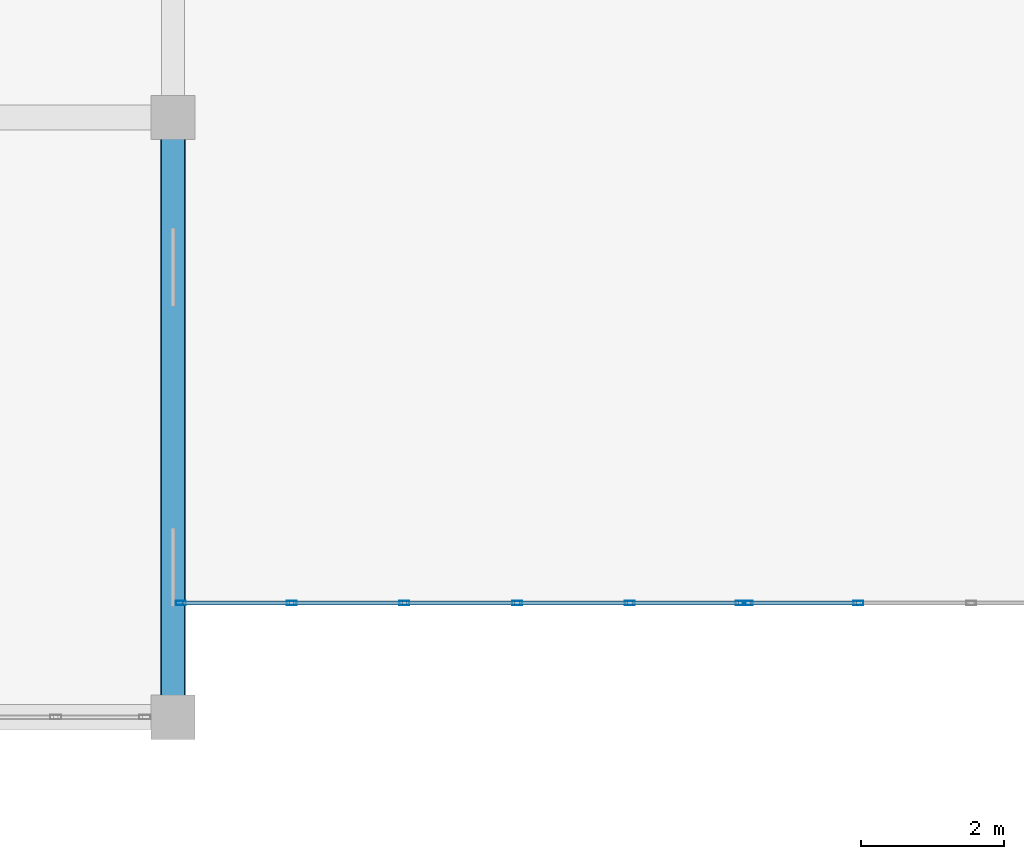
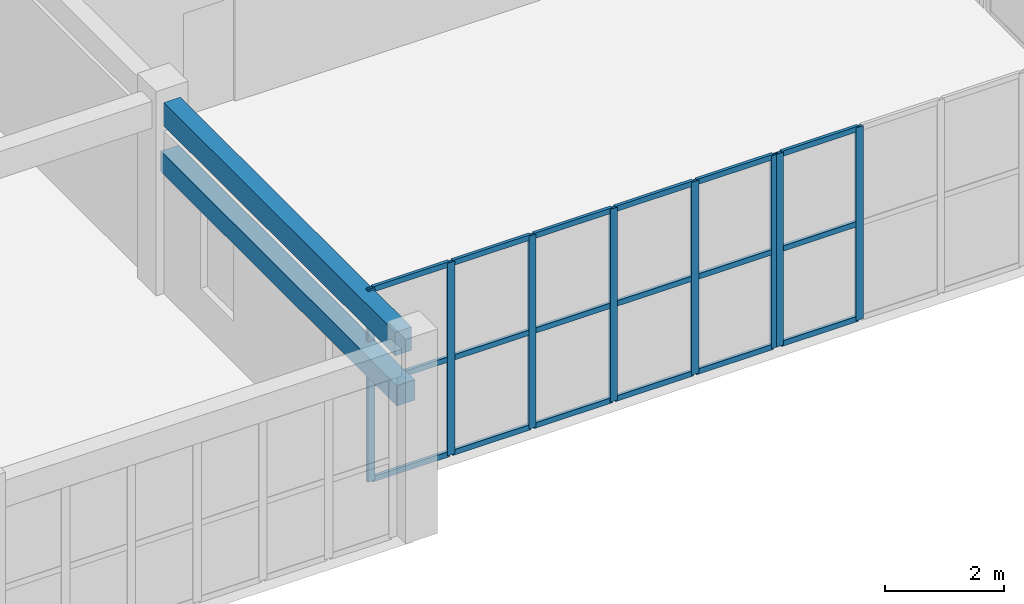
# One storey, part 26 of 81: 26 members, 2 beams, 2 elements without a shape of their own.
"""IFC4 building model written with IfcOpenShell, lengths in metres."""

from ifc_helpers import new_model, si_unit, direction, frame, origin, origin_2d, place, context, subcontext, project, spatial, rectangle, hollow_rectangle, extrude, material, layer, layer_set, material_profile, profile_set, type_object, element, aggregate, save


model = new_model("IFC4")

# Units and contexts
model_context = context("Model", 3, precision=1e-05, world=origin(), true_north=direction((0.0, 1.0)))
body_context = subcontext(model_context, "Body", "Model", "MODEL_VIEW")
ifc_project = project(units=[si_unit("LENGTHUNIT", "METRE"), si_unit("AREAUNIT", "SQUARE_METRE"), si_unit("VOLUMEUNIT", "CUBIC_METRE"), si_unit("PLANEANGLEUNIT", "RADIAN"), si_unit("MASSUNIT", "GRAM", prefix="KILO")], contexts=[model_context])

# Site, building, storey
site_placement = place(None, origin())
site = spatial("IfcSite", under=ifc_project, at=site_placement, CompositionType="ELEMENT")
building_placement = place(site_placement, origin())
building = spatial("IfcBuilding", under=site, at=building_placement, Name="Trelvath General Hospital", CompositionType="ELEMENT")
storey_placement = place(building_placement, frame((0.0, 0.0, 24.60009765625)))
storey = spatial("IfcBuildingStorey", under=building, at=storey_placement, Name="L06", CompositionType="ELEMENT", Elevation=24.60009765625)

# Beam
ifc_material_1 = material(Name="Concrete C35/45", Category="concrete")
ifc_material_profile_1 = material_profile(ifc_material_1, rectangle(XDim=0.320068359375, YDim=0.47998046875, at=origin_2d()), Name="RCB320x480")
ifc_profile_set_1 = profile_set([ifc_material_profile_1], Name="Concrete C35/45")
beam_type_1 = type_object("IfcBeamType", Name="Beam RC320x480", PredefinedType="BEAM", material=ifc_profile_set_1)
beam_1_placement = place(storey_placement, frame((92.39990234375, 42.304931640625, 3.679931640625), z_axis=(0.0, 1.0, 0.0), x_axis=(-1.0, 0.0, 0.0)))
element("IfcBeam", 1, at=beam_1_placement, inside=storey, type_object=beam_type_1, Name="Grid Beam BY-611F", PredefinedType="BEAM", context=body_context, shape_type="SweptSolid", body=[
    extrude(rectangle(XDim=0.320068359375, YDim=0.47998046875, at=origin_2d()), origin(), (0.0, 0.0, 1.0), 7.7900390625),
])

# Curtain wall, members
ifc_material_2 = material(Name="Anodised aluminium and low-E glass", Category="aluminium")
ifc_layer = layer(ifc_material_2, 0.139892578125)
ifc_layer_set = layer_set([ifc_layer], Name="Anodised aluminium and low-E glass")
curtain_wall_type = type_object("IfcCurtainWallType", Name="CW CrystalCube 790 396 14", PredefinedType="USERDEFINED", material=ifc_layer_set)
curtain_wall_1_placement = place(storey_placement, origin())
curtain_wall_1 = element("IfcCurtainWall", 2, at=curtain_wall_1_placement, inside=storey, type_object=curtain_wall_type, Name="Crystal Cube Curtain Wall CUBE-E-T2 S1 L06", ObjectType="Unitised Glazed Curtain Wall", PredefinedType="USERDEFINED")
ifc_material_3 = material(Name="Anodised aluminium", Category="aluminium")
ifc_material_profile_2 = material_profile(ifc_material_3, hollow_rectangle(XDim=0.06005859375, YDim=0.139892578125, WallThickness=0.00390625, at=origin_2d()), Name="RHS60x140x4")
ifc_profile_set_2 = profile_set([ifc_material_profile_2], Name="Anodised aluminium")
member_type_1 = type_object("IfcMemberType", Name="CurtainMullion 60x140", PredefinedType="MULLION", material=ifc_profile_set_2)
member_1_placement = place(storey_placement, frame((100.35009765625, 43.60009765625, 0.0), z_axis=(0.0, 0.0, 1.0), x_axis=(0.0, -1.0, 0.0)))
member_1 = element("IfcMember", 3, at=member_1_placement, type_object=member_type_1, Name="CW-332 mullion 1", PredefinedType="MULLION", context=body_context, shape_type="SweptSolid", body=[
    extrude(hollow_rectangle(XDim=0.06005859375, YDim=0.139892578125, WallThickness=0.00390625, at=origin_2d()), origin(), (0.0, 0.0, 1.0), 3.9599609375),
])
member_2_placement = place(storey_placement, frame((98.800048828125, 43.60009765625, 0.0), z_axis=(0.0, 0.0, 1.0), x_axis=(0.0, -1.0, 0.0)))
member_2 = element("IfcMember", 4, at=member_2_placement, type_object=member_type_1, Name="CW-332 mullion 2", PredefinedType="MULLION", context=body_context, shape_type="SweptSolid", body=[
    extrude(hollow_rectangle(XDim=0.06005859375, YDim=0.139892578125, WallThickness=0.00390625, at=origin_2d()), origin(), (0.0, 0.0, 1.0), 3.9599609375),
])
member_3_placement = place(storey_placement, frame((97.219970703125, 43.60009765625, 0.0), z_axis=(0.0, 0.0, 1.0), x_axis=(0.0, -1.0, 0.0)))
member_3 = element("IfcMember", 5, at=member_3_placement, type_object=member_type_1, Name="CW-332 mullion 3", PredefinedType="MULLION", context=body_context, shape_type="SweptSolid", body=[
    extrude(hollow_rectangle(XDim=0.06005859375, YDim=0.139892578125, WallThickness=0.00390625, at=origin_2d()), origin(), (0.0, 0.0, 1.0), 3.9599609375),
])
member_4_placement = place(storey_placement, frame((95.639892578125, 43.60009765625, 0.0), z_axis=(0.0, 0.0, 1.0), x_axis=(0.0, -1.0, 0.0)))
member_4 = element("IfcMember", 6, at=member_4_placement, type_object=member_type_1, Name="CW-332 mullion 4", PredefinedType="MULLION", context=body_context, shape_type="SweptSolid", body=[
    extrude(hollow_rectangle(XDim=0.06005859375, YDim=0.139892578125, WallThickness=0.00390625, at=origin_2d()), origin(), (0.0, 0.0, 1.0), 3.9599609375),
])
member_5_placement = place(storey_placement, frame((94.06005859375, 43.60009765625, 0.0), z_axis=(0.0, 0.0, 1.0), x_axis=(0.0, -1.0, 0.0)))
member_5 = element("IfcMember", 7, at=member_5_placement, type_object=member_type_1, Name="CW-332 mullion 5", PredefinedType="MULLION", context=body_context, shape_type="SweptSolid", body=[
    extrude(hollow_rectangle(XDim=0.06005859375, YDim=0.139892578125, WallThickness=0.00390625, at=origin_2d()), origin(), (0.0, 0.0, 1.0), 3.9599609375),
])
member_6_placement = place(storey_placement, frame((92.510009765625, 43.60009765625, 0.0), z_axis=(0.0, 0.0, 1.0), x_axis=(0.0, -1.0, 0.0)))
member_6 = element("IfcMember", 8, at=member_6_placement, type_object=member_type_1, Name="CW-332 mullion 6", PredefinedType="MULLION", context=body_context, shape_type="SweptSolid", body=[
    extrude(hollow_rectangle(XDim=0.06005859375, YDim=0.139892578125, WallThickness=0.00390625, at=origin_2d()), origin(), (0.0, 0.0, 1.0), 3.9599609375),
])

curtain_wall_2_placement = place(storey_placement, origin())
curtain_wall_2 = element("IfcCurtainWall", 9, at=curtain_wall_2_placement, inside=storey, type_object=curtain_wall_type, Name="Crystal Cube Curtain Wall CUBE-E-T2 S2 L06", ObjectType="Unitised Glazed Curtain Wall", PredefinedType="USERDEFINED")
member_7_placement = place(storey_placement, frame((102.0, 43.60009765625, 0.0), z_axis=(0.0, 0.0, 1.0), x_axis=(0.0, -1.0, 0.0)))
member_7 = element("IfcMember", 10, at=member_7_placement, type_object=member_type_1, Name="CW-333 mullion 5", PredefinedType="MULLION", context=body_context, shape_type="SweptSolid", body=[
    extrude(hollow_rectangle(XDim=0.06005859375, YDim=0.139892578125, WallThickness=0.00390625, at=origin_2d()), origin(), (0.0, 0.0, 1.0), 3.9599609375),
])
member_8_placement = place(storey_placement, frame((100.449951171875, 43.60009765625, 0.0), z_axis=(0.0, 0.0, 1.0), x_axis=(0.0, -1.0, 0.0)))
member_8 = element("IfcMember", 11, at=member_8_placement, type_object=member_type_1, Name="CW-333 mullion 6", PredefinedType="MULLION", context=body_context, shape_type="SweptSolid", body=[
    extrude(hollow_rectangle(XDim=0.06005859375, YDim=0.139892578125, WallThickness=0.00390625, at=origin_2d()), origin(), (0.0, 0.0, 1.0), 3.9599609375),
])

# Member
ifc_material_4 = material(Name="Anodised aluminium", Category="aluminium")
ifc_material_profile_3 = material_profile(ifc_material_4, hollow_rectangle(XDim=0.06005859375, YDim=0.110107421875, WallThickness=0.00390625, at=origin_2d()), Name="RHS60x110x4")
ifc_profile_set_3 = profile_set([ifc_material_profile_3], Name="Anodised aluminium")
member_type_2 = type_object("IfcMemberType", Name="CurtainTransom 60x110", PredefinedType="USERDEFINED", material=ifc_profile_set_3)
member_9_placement = place(storey_placement, frame((100.320068359375, 43.60009765625, 0.02978515625), z_axis=(-1.0, 0.0, 0.0), x_axis=(0.0, -1.0, 0.0)))
member_9 = element("IfcMember", 12, at=member_9_placement, type_object=member_type_2, Name="CW-332 transom 1.1", ObjectType="TRANSOM", PredefinedType="USERDEFINED", context=body_context, shape_type="SweptSolid", body=[
    extrude(hollow_rectangle(XDim=0.06005859375, YDim=0.110107421875, WallThickness=0.00390625, at=origin_2d()), origin(), (0.0, 0.0, 1.0), 1.489990234375),
])

member_10_placement = place(storey_placement, frame((100.320068359375, 43.60009765625, 1.97998046875), z_axis=(-1.0, 0.0, 0.0), x_axis=(0.0, -1.0, 0.0)))
member_10 = element("IfcMember", 13, at=member_10_placement, type_object=member_type_2, Name="CW-332 transom 1.2", ObjectType="TRANSOM", PredefinedType="USERDEFINED", context=body_context, shape_type="SweptSolid", body=[
    extrude(hollow_rectangle(XDim=0.06005859375, YDim=0.110107421875, WallThickness=0.00390625, at=origin_2d()), origin(), (0.0, 0.0, 1.0), 1.489990234375),
])

member_11_placement = place(storey_placement, frame((100.320068359375, 43.60009765625, 3.929931640625), z_axis=(-1.0, 0.0, 0.0), x_axis=(0.0, -1.0, 0.0)))
member_11 = element("IfcMember", 14, at=member_11_placement, type_object=member_type_2, Name="CW-332 transom 1.3", ObjectType="TRANSOM", PredefinedType="USERDEFINED", context=body_context, shape_type="SweptSolid", body=[
    extrude(hollow_rectangle(XDim=0.06005859375, YDim=0.110107421875, WallThickness=0.00390625, at=origin_2d()), origin(), (0.0, 0.0, 1.0), 1.489990234375),
])

member_12_placement = place(storey_placement, frame((98.77001953125, 43.60009765625, 0.02978515625), z_axis=(-1.0, 0.0, 0.0), x_axis=(0.0, -1.0, 0.0)))
member_12 = element("IfcMember", 15, at=member_12_placement, type_object=member_type_2, Name="CW-332 transom 2.1", ObjectType="TRANSOM", PredefinedType="USERDEFINED", context=body_context, shape_type="SweptSolid", body=[
    extrude(hollow_rectangle(XDim=0.06005859375, YDim=0.110107421875, WallThickness=0.00390625, at=origin_2d()), origin(), (0.0, 0.0, 1.0), 1.52001953125),
])

member_13_placement = place(storey_placement, frame((98.77001953125, 43.60009765625, 1.97998046875), z_axis=(-1.0, 0.0, 0.0), x_axis=(0.0, -1.0, 0.0)))
member_13 = element("IfcMember", 16, at=member_13_placement, type_object=member_type_2, Name="CW-332 transom 2.2", ObjectType="TRANSOM", PredefinedType="USERDEFINED", context=body_context, shape_type="SweptSolid", body=[
    extrude(hollow_rectangle(XDim=0.06005859375, YDim=0.110107421875, WallThickness=0.00390625, at=origin_2d()), origin(), (0.0, 0.0, 1.0), 1.52001953125),
])

member_14_placement = place(storey_placement, frame((98.77001953125, 43.60009765625, 3.929931640625), z_axis=(-1.0, 0.0, 0.0), x_axis=(0.0, -1.0, 0.0)))
member_14 = element("IfcMember", 17, at=member_14_placement, type_object=member_type_2, Name="CW-332 transom 2.3", ObjectType="TRANSOM", PredefinedType="USERDEFINED", context=body_context, shape_type="SweptSolid", body=[
    extrude(hollow_rectangle(XDim=0.06005859375, YDim=0.110107421875, WallThickness=0.00390625, at=origin_2d()), origin(), (0.0, 0.0, 1.0), 1.52001953125),
])

member_15_placement = place(storey_placement, frame((97.18994140625, 43.60009765625, 0.02978515625), z_axis=(-1.0, 0.0, 0.0), x_axis=(0.0, -1.0, 0.0)))
member_15 = element("IfcMember", 18, at=member_15_placement, type_object=member_type_2, Name="CW-332 transom 3.1", ObjectType="TRANSOM", PredefinedType="USERDEFINED", context=body_context, shape_type="SweptSolid", body=[
    extrude(hollow_rectangle(XDim=0.06005859375, YDim=0.110107421875, WallThickness=0.00390625, at=origin_2d()), origin(), (0.0, 0.0, 1.0), 1.52001953125),
])

member_16_placement = place(storey_placement, frame((97.18994140625, 43.60009765625, 1.97998046875), z_axis=(-1.0, 0.0, 0.0), x_axis=(0.0, -1.0, 0.0)))
member_16 = element("IfcMember", 19, at=member_16_placement, type_object=member_type_2, Name="CW-332 transom 3.2", ObjectType="TRANSOM", PredefinedType="USERDEFINED", context=body_context, shape_type="SweptSolid", body=[
    extrude(hollow_rectangle(XDim=0.06005859375, YDim=0.110107421875, WallThickness=0.00390625, at=origin_2d()), origin(), (0.0, 0.0, 1.0), 1.52001953125),
])

member_17_placement = place(storey_placement, frame((97.18994140625, 43.60009765625, 3.929931640625), z_axis=(-1.0, 0.0, 0.0), x_axis=(0.0, -1.0, 0.0)))
member_17 = element("IfcMember", 20, at=member_17_placement, type_object=member_type_2, Name="CW-332 transom 3.3", ObjectType="TRANSOM", PredefinedType="USERDEFINED", context=body_context, shape_type="SweptSolid", body=[
    extrude(hollow_rectangle(XDim=0.06005859375, YDim=0.110107421875, WallThickness=0.00390625, at=origin_2d()), origin(), (0.0, 0.0, 1.0), 1.52001953125),
])

member_18_placement = place(storey_placement, frame((95.610107421875, 43.60009765625, 0.02978515625), z_axis=(-1.0, 0.0, 0.0), x_axis=(0.0, -1.0, 0.0)))
member_18 = element("IfcMember", 21, at=member_18_placement, type_object=member_type_2, Name="CW-332 transom 4.1", ObjectType="TRANSOM", PredefinedType="USERDEFINED", context=body_context, shape_type="SweptSolid", body=[
    extrude(hollow_rectangle(XDim=0.06005859375, YDim=0.110107421875, WallThickness=0.00390625, at=origin_2d()), origin(), (0.0, 0.0, 1.0), 1.52001953125),
])

member_19_placement = place(storey_placement, frame((95.610107421875, 43.60009765625, 1.97998046875), z_axis=(-1.0, 0.0, 0.0), x_axis=(0.0, -1.0, 0.0)))
member_19 = element("IfcMember", 22, at=member_19_placement, type_object=member_type_2, Name="CW-332 transom 4.2", ObjectType="TRANSOM", PredefinedType="USERDEFINED", context=body_context, shape_type="SweptSolid", body=[
    extrude(hollow_rectangle(XDim=0.06005859375, YDim=0.110107421875, WallThickness=0.00390625, at=origin_2d()), origin(), (0.0, 0.0, 1.0), 1.52001953125),
])

member_20_placement = place(storey_placement, frame((95.610107421875, 43.60009765625, 3.929931640625), z_axis=(-1.0, 0.0, 0.0), x_axis=(0.0, -1.0, 0.0)))
member_20 = element("IfcMember", 23, at=member_20_placement, type_object=member_type_2, Name="CW-332 transom 4.3", ObjectType="TRANSOM", PredefinedType="USERDEFINED", context=body_context, shape_type="SweptSolid", body=[
    extrude(hollow_rectangle(XDim=0.06005859375, YDim=0.110107421875, WallThickness=0.00390625, at=origin_2d()), origin(), (0.0, 0.0, 1.0), 1.52001953125),
])

member_21_placement = place(storey_placement, frame((94.030029296875, 43.60009765625, 0.02978515625), z_axis=(-1.0, 0.0, 0.0), x_axis=(0.0, -1.0, 0.0)))
member_21 = element("IfcMember", 24, at=member_21_placement, type_object=member_type_2, Name="CW-332 transom 5.1", ObjectType="TRANSOM", PredefinedType="USERDEFINED", context=body_context, shape_type="SweptSolid", body=[
    extrude(hollow_rectangle(XDim=0.06005859375, YDim=0.110107421875, WallThickness=0.00390625, at=origin_2d()), origin(), (0.0, 0.0, 1.0), 1.489990234375),
])

member_22_placement = place(storey_placement, frame((94.030029296875, 43.60009765625, 1.97998046875), z_axis=(-1.0, 0.0, 0.0), x_axis=(0.0, -1.0, 0.0)))
member_22 = element("IfcMember", 25, at=member_22_placement, type_object=member_type_2, Name="CW-332 transom 5.2", ObjectType="TRANSOM", PredefinedType="USERDEFINED", context=body_context, shape_type="SweptSolid", body=[
    extrude(hollow_rectangle(XDim=0.06005859375, YDim=0.110107421875, WallThickness=0.00390625, at=origin_2d()), origin(), (0.0, 0.0, 1.0), 1.489990234375),
])

member_23_placement = place(storey_placement, frame((94.030029296875, 43.60009765625, 3.929931640625), z_axis=(-1.0, 0.0, 0.0), x_axis=(0.0, -1.0, 0.0)))
member_23 = element("IfcMember", 26, at=member_23_placement, type_object=member_type_2, Name="CW-332 transom 5.3", ObjectType="TRANSOM", PredefinedType="USERDEFINED", context=body_context, shape_type="SweptSolid", body=[
    extrude(hollow_rectangle(XDim=0.06005859375, YDim=0.110107421875, WallThickness=0.00390625, at=origin_2d()), origin(), (0.0, 0.0, 1.0), 1.489990234375),
])

aggregate(curtain_wall_1, [member_1, member_2, member_3, member_4, member_5, member_6, member_9, member_10, member_11, member_12, member_13, member_14, member_15, member_16, member_17, member_18, member_19, member_20, member_21, member_22, member_23])

member_24_placement = place(storey_placement, frame((101.969970703125, 43.60009765625, 0.02978515625), z_axis=(-1.0, 0.0, 0.0), x_axis=(0.0, -1.0, 0.0)))
member_24 = element("IfcMember", 27, at=member_24_placement, type_object=member_type_2, Name="CW-333 transom 5.1", ObjectType="TRANSOM", PredefinedType="USERDEFINED", context=body_context, shape_type="SweptSolid", body=[
    extrude(hollow_rectangle(XDim=0.06005859375, YDim=0.110107421875, WallThickness=0.00390625, at=origin_2d()), origin(), (0.0, 0.0, 1.0), 1.489990234375),
])

member_25_placement = place(storey_placement, frame((101.969970703125, 43.60009765625, 1.97998046875), z_axis=(-1.0, 0.0, 0.0), x_axis=(0.0, -1.0, 0.0)))
member_25 = element("IfcMember", 28, at=member_25_placement, type_object=member_type_2, Name="CW-333 transom 5.2", ObjectType="TRANSOM", PredefinedType="USERDEFINED", context=body_context, shape_type="SweptSolid", body=[
    extrude(hollow_rectangle(XDim=0.06005859375, YDim=0.110107421875, WallThickness=0.00390625, at=origin_2d()), origin(), (0.0, 0.0, 1.0), 1.489990234375),
])

member_26_placement = place(storey_placement, frame((101.969970703125, 43.60009765625, 3.929931640625), z_axis=(-1.0, 0.0, 0.0), x_axis=(0.0, -1.0, 0.0)))
member_26 = element("IfcMember", 29, at=member_26_placement, type_object=member_type_2, Name="CW-333 transom 5.3", ObjectType="TRANSOM", PredefinedType="USERDEFINED", context=body_context, shape_type="SweptSolid", body=[
    extrude(hollow_rectangle(XDim=0.06005859375, YDim=0.110107421875, WallThickness=0.00390625, at=origin_2d()), origin(), (0.0, 0.0, 1.0), 1.489990234375),
])

aggregate(curtain_wall_2, [member_7, member_8, member_24, member_25, member_26])

# Beam
ifc_material_5 = material(Name="Precast concrete C40/50", Category="concrete")
ifc_material_profile_4 = material_profile(ifc_material_5, rectangle(XDim=0.35009765625, YDim=0.419921875, at=origin_2d()), Name="PCL350x420")
ifc_profile_set_4 = profile_set([ifc_material_profile_4], Name="Precast concrete C40/50")
beam_type_2 = type_object("IfcBeamType", Name="Lintel PC350x420", PredefinedType="LINTEL", material=ifc_profile_set_4)
beam_2_placement = place(storey_placement, frame((92.39990234375, 50.175048828125, 2.669921875), z_axis=(0.0, -1.0, 0.0), x_axis=(1.0, 0.0, 0.0)))
element("IfcBeam", 30, at=beam_2_placement, inside=storey, type_object=beam_type_2, Name="Precast Window Brow Lintel L06-583", PredefinedType="LINTEL", context=body_context, shape_type="SweptSolid", body=[
    extrude(rectangle(XDim=0.35009765625, YDim=0.419921875, at=origin_2d()), origin(), (0.0, 0.0, 1.0), 7.949951171875),
])

save(model, "model.ifc")
